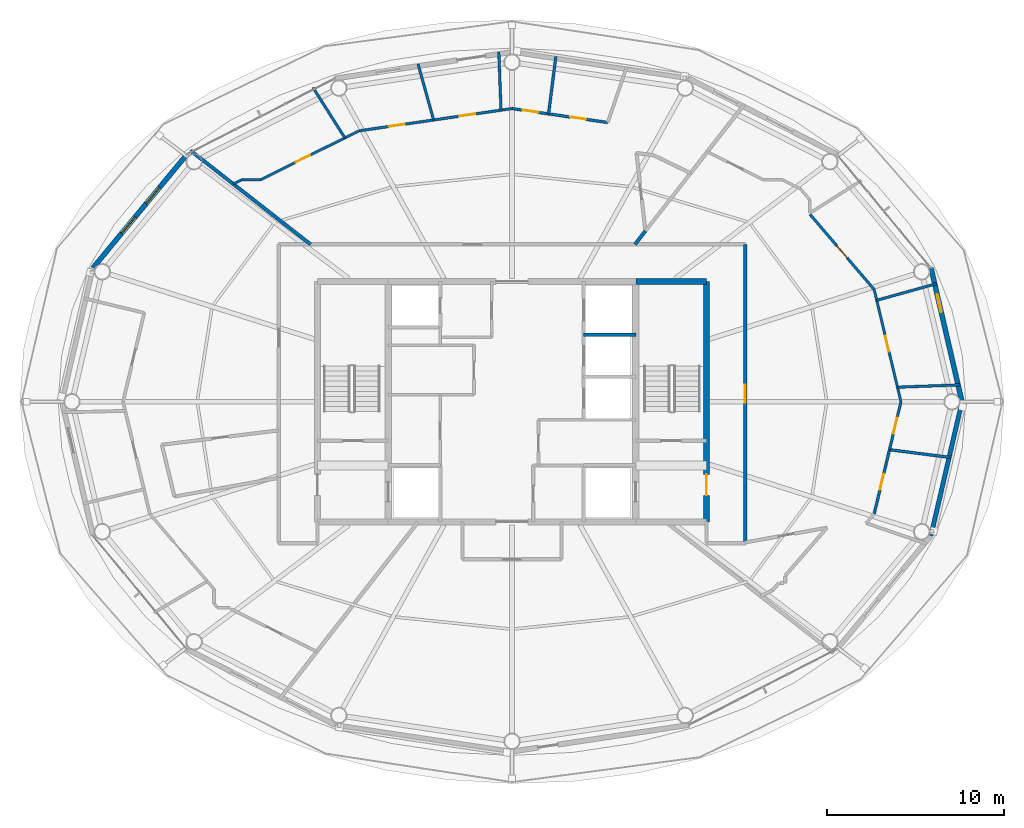
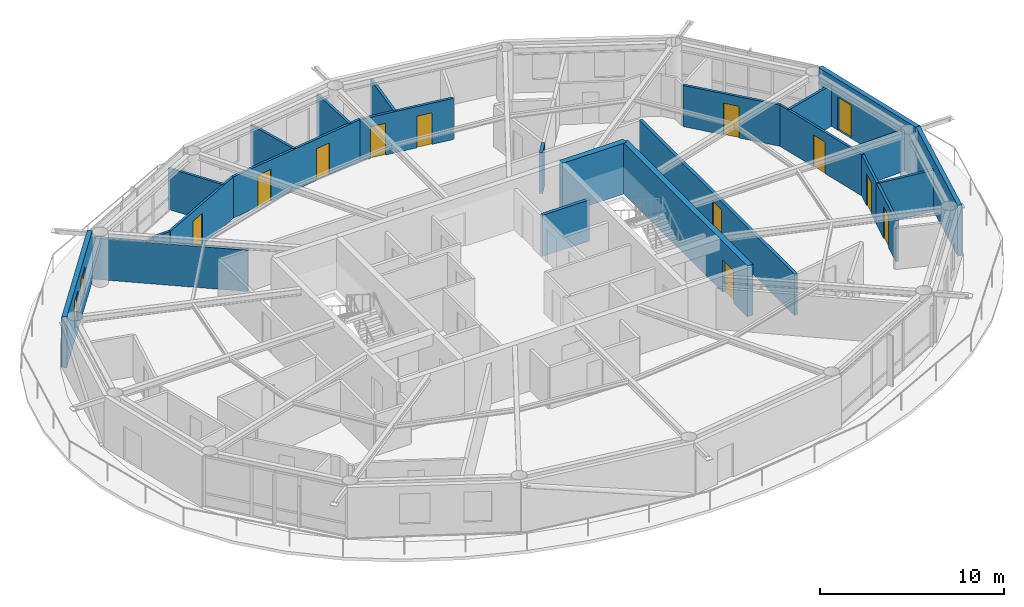
# One storey, part 18 of 22: 25 walls, 12 doors, 2 windows, 14 openings.
"""IFC4 building model written with IfcOpenShell, lengths in metres."""

from ifc_helpers import new_model, si_unit, direction, frame, frame_2d, origin, place, context, subcontext, project, spatial, rectangle, extrude, material, layer, layer_set, type_object, element, fill, save


model = new_model("IFC4")

# Units and contexts
model_context = context("Model", 3, precision=1e-05, world=origin(), true_north=direction((0.0, 1.0)))
body_context = subcontext(model_context, "Body", "Model", "MODEL_VIEW")
ifc_project = project(units=[si_unit("LENGTHUNIT", "METRE"), si_unit("AREAUNIT", "SQUARE_METRE"), si_unit("VOLUMEUNIT", "CUBIC_METRE"), si_unit("PLANEANGLEUNIT", "RADIAN"), si_unit("MASSUNIT", "GRAM", prefix="KILO")], contexts=[model_context])

# Site, building, storey
site_placement = place(None, origin())
site = spatial("IfcSite", under=ifc_project, at=site_placement, CompositionType="ELEMENT")
building_placement = place(site_placement, origin())
building = spatial("IfcBuilding", under=site, at=building_placement, Name="Sarneth Arch Tower", CompositionType="ELEMENT")
storey_placement = place(building_placement, frame((0.0, 0.0, 305.39990234375)))
storey = spatial("IfcBuildingStorey", under=building, at=storey_placement, Name="L79", CompositionType="ELEMENT", Elevation=305.39990234375)

# Wall
ifc_material_1 = material(Name="Concrete C50/60", Category="concrete")
ifc_layer_1 = layer(ifc_material_1, 0.35009765625)
ifc_layer_set_1 = layer_set([ifc_layer_1], Name="Concrete C50/60")
wall_type_1 = type_object("IfcWallType", Name="WALL-CORE-350", PredefinedType="SHEAR", material=ifc_layer_set_1)
wall_1_placement = place(storey_placement, frame((55.0, 48.800048828125, 0.0), z_axis=(0.0, 0.0, 1.0), x_axis=(1.0, 0.0, 0.0)))
element("IfcWall", 1, at=wall_1_placement, inside=storey, type_object=wall_type_1, Name="L79 Core shear wall N-E", PredefinedType="SHEAR", context=body_context, shape_type="SweptSolid", body=[
    extrude(rectangle(XDim=4.0, YDim=0.35009765625, at=frame_2d((2.0, 0.0))), origin(), (0.0, 0.0, 1.0), 3.3701171875),
])

# Wall, opening, door
wall_2_placement = place(storey_placement, frame((59.0, 35.199951171875, 0.0), z_axis=(0.0, 0.0, 1.0), x_axis=(0.0, 1.0, 0.0)))
wall_2 = element("IfcWall", 2, at=wall_2_placement, inside=storey, type_object=wall_type_1, Name="L79 Core shear wall E", PredefinedType="SHEAR", context=body_context, shape_type="SweptSolid", body=[
    extrude(rectangle(XDim=13.60009765625, YDim=0.35009765625, at=frame_2d((6.800048828125, 0.0))), origin(), (0.0, 0.0, 1.0), 3.3701171875),
])
opening_1_placement = place(wall_2_placement, frame((1.5, 0.0, 0.0)))
opening_1 = element("IfcOpeningElement", 3, at=opening_1_placement, cuts=wall_2, Name="Opening FD-02", PredefinedType="OPENING", context=body_context, shape_type="SweptSolid", body=[
    extrude(rectangle(XDim=1.199951171875, YDim=2.14990234375, at=frame_2d((0.60009765625, 1.074951171875))), frame((0.0, 0.18505859375, 0.0), z_axis=(0.0, -1.0, 0.0), x_axis=(1.0, 0.0, 0.0)), (0.0, 0.0, 1.0), 0.3701171875),
])
ifc_material_2 = material(Name="Galvanised Steel S275 fire door set", Category="steel")
door_type_1 = type_object("IfcDoorType", Name="DR-FD90-1200", OperationType="SINGLE_SWING_LEFT", PredefinedType="DOOR", material=ifc_material_2)
door_1_placement = place(opening_1_placement, origin())
door_1 = element("IfcDoor", 4, at=door_1_placement, inside=storey, type_object=door_type_1, Name="L79 Firefighting lobby 2 exit door", OperationType="SINGLE_SWING_RIGHT", OverallHeight=2.14990234375, OverallWidth=1.199951171875, PredefinedType="DOOR", context=body_context, shape_type="SweptSolid", body=[
    extrude(rectangle(XDim=1.199951171875, YDim=2.14990234375, at=frame_2d((0.60009765625, 1.074951171875))), frame((0.0, 0.02490234375, 0.0), z_axis=(0.0, -1.0, 0.0), x_axis=(1.0, 0.0, 0.0)), (0.0, 0.0, 1.0), 0.050048828125),
])
fill(opening_1, door_1)

ifc_material_3 = material(Name="Double steel-stud corridor fire wall", Category="steel")
ifc_layer_2 = layer(ifc_material_3, 0.18994140625)
ifc_layer_set_2 = layer_set([ifc_layer_2], Name="Double steel-stud corridor fire wall")
wall_type_2 = type_object("IfcWallType", Name="WALL-CORR-190", PredefinedType="PARTITIONING", material=ifc_layer_set_2)
wall_3_placement = place(storey_placement, frame((61.199951171875, 50.89990234375, 0.0), z_axis=(0.0, 0.0, 1.0), x_axis=(0.0, -1.0, 0.0)))
wall_3 = element("IfcWall", 5, at=wall_3_placement, inside=storey, type_object=wall_type_2, Name="L79 Interior partition W-L79-TP-009", PredefinedType="PARTITIONING", context=body_context, shape_type="SweptSolid", body=[
    extrude(rectangle(XDim=16.884765625, YDim=0.18994140625, at=frame_2d((8.4423828125, 0.0))), origin(), (0.0, 0.0, 1.0), 2.72998046875),
])
opening_2_placement = place(wall_3_placement, frame((7.9423828125, 0.0, 0.0)))
opening_2 = element("IfcOpeningElement", 6, at=opening_2_placement, cuts=wall_3, Name="Opening FD-08", PredefinedType="OPENING", context=body_context, shape_type="SweptSolid", body=[
    extrude(rectangle(XDim=1.0, YDim=2.199951171875, at=frame_2d((0.5, 1.10009765625))), frame((0.0, 0.10498046875, 0.0), z_axis=(0.0, -1.0, 0.0), x_axis=(1.0, 0.0, 0.0)), (0.0, 0.0, 1.0), 0.2099609375),
])
ifc_material_4 = material(Name="Hardwood timber acoustic fire door", Category="wood")
door_type_2 = type_object("IfcDoorType", Name="DR-FD60-1000", OperationType="SINGLE_SWING_LEFT", PredefinedType="DOOR", material=ifc_material_4)
door_2_placement = place(opening_2_placement, origin())
door_2 = element("IfcDoor", 7, at=door_2_placement, inside=storey, type_object=door_type_2, Name="L79 Interior door DR-L79-U4-ENT", OperationType="SINGLE_SWING_RIGHT", OverallHeight=2.199951171875, OverallWidth=1.0, PredefinedType="DOOR", context=body_context, shape_type="SweptSolid", body=[
    extrude(rectangle(XDim=1.0, YDim=2.199951171875, at=frame_2d((0.5, 1.10009765625))), frame((0.0, 0.02490234375, 0.0), z_axis=(0.0, -1.0, 0.0), x_axis=(1.0, 0.0, 0.0)), (0.0, 0.0, 1.0), 0.050048828125),
])
fill(opening_2, door_2)

# Wall
ifc_material_5 = material(Name="Extruded terracotta rainscreen on Concrete C40/50 backing", Category="masonry")
ifc_layer_3 = layer(ifc_material_5, 0.25)
ifc_layer_set_3 = layer_set([ifc_layer_3], Name="Extruded terracotta rainscreen on Concrete C40/50 backing")
wall_type_3 = type_object("IfcWallType", Name="WALL-EXT-SPAND-250", PredefinedType="SOLIDWALL", material=ifc_layer_set_3)
wall_4_placement = place(storey_placement, frame((71.69384765625, 34.430419921875, 0.0), z_axis=(0.0, 0.0, 1.0), x_axis=(0.225635078214, 0.974211892495, 0.0)))
element("IfcWall", 8, at=wall_4_placement, inside=storey, type_object=wall_type_3, Name="L79 Terracotta perimeter wall 16", PredefinedType="SOLIDWALL", context=body_context, shape_type="SweptSolid", body=[
    extrude(rectangle(XDim=7.77001953125, YDim=0.25, at=frame_2d((3.885009765625, 0.0))), origin(), (0.0, 0.0, 1.0), 3.3701171875),
])

# Wall, opening, door
ifc_material_6 = material(Name="Extruded terracotta rainscreen on Concrete C40/50 backing", Category="masonry")
ifc_layer_4 = layer(ifc_material_6, 0.280029296875)
ifc_layer_set_4 = layer_set([ifc_layer_4], Name="Extruded terracotta rainscreen on Concrete C40/50 backing")
wall_type_4 = type_object("IfcWallType", Name="WALL-EXT-TERRA-280", PredefinedType="SOLIDWALL", material=ifc_layer_set_4)
wall_5_placement = place(storey_placement, frame((73.447021484375, 42.0, 0.0), z_axis=(0.0, 0.0, 1.0), x_axis=(-0.225635078214, 0.974211892495, 0.0)))
wall_5 = element("IfcWall", 9, at=wall_5_placement, inside=storey, type_object=wall_type_4, Name="L79 Terracotta perimeter wall 01", PredefinedType="SOLIDWALL", context=body_context, shape_type="SweptSolid", body=[
    extrude(rectangle(XDim=7.77001953125, YDim=0.280029296875, at=frame_2d((3.885009765625, 0.0))), origin(), (0.0, 0.0, 1.0), 3.3701171875),
])
opening_3_placement = place(wall_5_placement, frame((5.192138671875, 0.0, 0.0)))
opening_3 = element("IfcOpeningElement", 10, at=opening_3_placement, cuts=wall_5, Name="Opening BD-4", PredefinedType="OPENING", context=body_context, shape_type="SweptSolid", body=[
    extrude(rectangle(XDim=1.050048828125, YDim=2.199951171875, at=frame_2d((0.52490234375, 1.10009765625))), frame((0.0, 0.14990234375, 0.0), z_axis=(0.0, -1.0, 0.0), x_axis=(1.0, 0.0, 0.0)), (0.0, 0.0, 1.0), 0.300048828125),
])
ifc_material_7 = material(Name="Thermally broken Aluminium 6063-T6 and laminated safety glass", Category="aluminium")
door_type_3 = type_object("IfcDoorType", Name="DR-BALC-GLZ-1050", OperationType="SINGLE_SWING_RIGHT", PredefinedType="DOOR", material=ifc_material_7)
door_3_placement = place(opening_3_placement, origin())
door_3 = element("IfcDoor", 11, at=door_3_placement, inside=storey, type_object=door_type_3, Name="L79 Balcony glazed door 01", OperationType="SINGLE_SWING_RIGHT", OverallHeight=2.199951171875, OverallWidth=1.050048828125, PredefinedType="DOOR", context=body_context, shape_type="SweptSolid", body=[
    extrude(rectangle(XDim=1.050048828125, YDim=2.199951171875, at=frame_2d((0.52490234375, 1.10009765625))), frame((0.0, 0.02490234375, 0.0), z_axis=(0.0, -1.0, 0.0), x_axis=(1.0, 0.0, 0.0)), (0.0, 0.0, 1.0), 0.050048828125),
])
fill(opening_3, door_3)

# Wall, openings, windows
wall_6_placement = place(storey_placement, frame((29.617431640625, 55.986572265625, 0.0), z_axis=(0.0, 0.0, 1.0), x_axis=(-0.63761509934, -0.770355103243, 0.0)))
wall_6 = element("IfcWall", 12, at=wall_6_placement, inside=storey, type_object=wall_type_4, Name="L79 Terracotta perimeter wall 07", PredefinedType="SOLIDWALL", context=body_context, shape_type="SweptSolid", body=[
    extrude(rectangle(XDim=8.329833984375, YDim=0.280029296875, at=frame_2d((4.1650390625, 0.0))), origin(), (0.0, 0.0, 1.0), 3.3701171875),
])
opening_4_placement = place(wall_6_placement, frame((2.42626953125, 0.0, 0.85009765625)))
opening_4 = element("IfcOpeningElement", 13, at=opening_4_placement, cuts=wall_6, Name="Opening W-09", PredefinedType="OPENING", context=body_context, shape_type="SweptSolid", body=[
    extrude(rectangle(XDim=1.199951171875, YDim=1.800048828125, at=frame_2d((0.60009765625, 0.89990234375))), frame((0.0, 0.14990234375, 0.0), z_axis=(0.0, -1.0, 0.0), x_axis=(1.0, 0.0, 0.0)), (0.0, 0.0, 1.0), 0.300048828125),
])
opening_5_placement = place(wall_6_placement, frame((4.59619140625, 0.0, 0.85009765625)))
opening_5 = element("IfcOpeningElement", 14, at=opening_5_placement, cuts=wall_6, Name="Opening W-09", PredefinedType="OPENING", context=body_context, shape_type="SweptSolid", body=[
    extrude(rectangle(XDim=1.199951171875, YDim=1.800048828125, at=frame_2d((0.60009765625, 0.89990234375))), frame((0.0, 0.14990234375, 0.0), z_axis=(0.0, -1.0, 0.0), x_axis=(1.0, 0.0, 0.0)), (0.0, 0.0, 1.0), 0.300048828125),
])
ifc_material_8 = material(Name="Thermally broken Aluminium 6063-T6 and low-e laminated IGU", Category="aluminium")
window_type = type_object("IfcWindowType", Name="WIN-TWR-1200x1800", PartitioningType="SINGLE_PANEL", PredefinedType="WINDOW", material=ifc_material_8)
window_1_placement = place(opening_4_placement, origin())
window_1 = element("IfcWindow", 15, at=window_1_placement, inside=storey, type_object=window_type, Name="L79 Exterior window 07A", OverallHeight=1.800048828125, OverallWidth=1.199951171875, PartitioningType="SINGLE_PANEL", PredefinedType="WINDOW", context=body_context, shape_type="SweptSolid", body=[
    extrude(rectangle(XDim=1.199951171875, YDim=1.800048828125, at=frame_2d((0.60009765625, 0.89990234375))), frame((0.0, 0.030029296875, 0.0), z_axis=(0.0, -1.0, 0.0), x_axis=(1.0, 0.0, 0.0)), (0.0, 0.0, 1.0), 0.06005859375),
])
fill(opening_4, window_1)
window_2_placement = place(opening_5_placement, origin())
window_2 = element("IfcWindow", 16, at=window_2_placement, inside=storey, type_object=window_type, Name="L79 Exterior window 07B", OverallHeight=1.800048828125, OverallWidth=1.199951171875, PartitioningType="SINGLE_PANEL", PredefinedType="WINDOW", context=body_context, shape_type="SweptSolid", body=[
    extrude(rectangle(XDim=1.199951171875, YDim=1.800048828125, at=frame_2d((0.60009765625, 0.89990234375))), frame((0.0, 0.030029296875, 0.0), z_axis=(0.0, -1.0, 0.0), x_axis=(1.0, 0.0, 0.0)), (0.0, 0.0, 1.0), 0.06005859375),
])
fill(opening_5, window_2)

# Wall, opening, door
ifc_material_9 = material(Name="Apartment internal stud partition", Category="gypsum")
ifc_layer_5 = layer(ifc_material_9, 0.139892578125)
ifc_layer_set_5 = layer_set([ifc_layer_5], Name="Apartment internal stud partition")
wall_type_5 = type_object("IfcWallType", Name="WALL-PART-140", PredefinedType="PARTITIONING", material=ifc_layer_set_5)
wall_7_placement = place(storey_placement, frame((33.773193359375, 54.550048828125, 0.0), z_axis=(0.0, 0.0, 1.0), x_axis=(0.895593510097, 0.44487331306, 0.0)))
wall_7 = element("IfcWall", 17, at=wall_7_placement, inside=storey, type_object=wall_type_5, Name="L79 Interior partition W-L79-TP-027", PredefinedType="PARTITIONING", context=body_context, shape_type="SweptSolid", body=[
    extrude(rectangle(XDim=6.2216796875, YDim=0.139892578125, at=frame_2d((3.11083984375, 0.0))), origin(), (0.0, 0.0, 1.0), 2.72998046875),
])
opening_6_placement = place(wall_7_placement, frame((2.232421875, 0.0, 0.0)))
opening_6 = element("IfcOpeningElement", 18, at=opening_6_placement, cuts=wall_7, Name="Opening ID-01", PredefinedType="OPENING", context=body_context, shape_type="SweptSolid", body=[
    extrude(rectangle(XDim=0.89990234375, YDim=2.10009765625, at=frame_2d((0.449951171875, 1.050048828125))), frame((0.0, 0.079833984375, 0.0), z_axis=(0.0, -1.0, 0.0), x_axis=(1.0, 0.0, 0.0)), (0.0, 0.0, 1.0), 0.159912109375),
])
ifc_material_10 = material(Name="Engineered hardwood flush door", Category="wood")
door_type_4 = type_object("IfcDoorType", Name="DR-INT-900", OperationType="SINGLE_SWING_LEFT", PredefinedType="DOOR", material=ifc_material_10)
door_4_placement = place(opening_6_placement, origin())
door_4 = element("IfcDoor", 19, at=door_4_placement, inside=storey, type_object=door_type_4, Name="L79 Interior door DR-L79-U1-BED3", OperationType="SINGLE_SWING_LEFT", OverallHeight=2.10009765625, OverallWidth=0.89990234375, PredefinedType="DOOR", context=body_context, shape_type="SweptSolid", body=[
    extrude(rectangle(XDim=0.89990234375, YDim=2.10009765625, at=frame_2d((0.449951171875, 1.050048828125))), frame((0.0, 0.02490234375, 0.0), z_axis=(0.0, -1.0, 0.0), x_axis=(1.0, 0.0, 0.0)), (0.0, 0.0, 1.0), 0.050048828125),
])
fill(opening_6, door_4)

wall_8_placement = place(storey_placement, frame((68.48095703125, 48.344970703125, 0.0), z_axis=(0.0, 0.0, 1.0), x_axis=(0.232298462197, -0.972644551962, 0.0)))
wall_8 = element("IfcWall", 20, at=wall_8_placement, inside=storey, type_object=wall_type_5, Name="L79 Interior partition W-L79-TP-070", PredefinedType="PARTITIONING", context=body_context, shape_type="SweptSolid", body=[
    extrude(rectangle(XDim=6.5234375, YDim=0.139892578125, at=frame_2d((3.26171875, 0.0))), origin(), (0.0, 0.0, 1.0), 2.72998046875),
])
opening_7_placement = place(wall_8_placement, frame((2.701904296875, 0.0, 0.0)))
opening_7 = element("IfcOpeningElement", 21, at=opening_7_placement, cuts=wall_8, Name="Opening ID-01", PredefinedType="OPENING", context=body_context, shape_type="SweptSolid", body=[
    extrude(rectangle(XDim=0.89990234375, YDim=2.10009765625, at=frame_2d((0.449951171875, 1.050048828125))), frame((0.0, 0.079833984375, 0.0), z_axis=(0.0, -1.0, 0.0), x_axis=(1.0, 0.0, 0.0)), (0.0, 0.0, 1.0), 0.159912109375),
])
door_5_placement = place(opening_7_placement, origin())
door_5 = element("IfcDoor", 22, at=door_5_placement, inside=storey, type_object=door_type_4, Name="L79 Interior door DR-L79-U4-BED1", OperationType="SINGLE_SWING_RIGHT", OverallHeight=2.10009765625, OverallWidth=0.89990234375, PredefinedType="DOOR", context=body_context, shape_type="SweptSolid", body=[
    extrude(rectangle(XDim=0.89990234375, YDim=2.10009765625, at=frame_2d((0.449951171875, 1.050048828125))), frame((0.0, 0.02490234375, 0.0), z_axis=(0.0, -1.0, 0.0), x_axis=(1.0, 0.0, 0.0)), (0.0, 0.0, 1.0), 0.050048828125),
])
fill(opening_7, door_5)

# Walls
wall_9_placement = place(storey_placement, frame((32.710693359375, 54.550048828125, 0.0), z_axis=(0.0, 0.0, 1.0), x_axis=(1.0, 0.0, 0.0)))
element("IfcWall", 23, at=wall_9_placement, inside=storey, type_object=wall_type_5, Name="L79 Interior partition W-L79-TP-026", PredefinedType="PARTITIONING", context=body_context, shape_type="SweptSolid", body=[
    extrude(rectangle(XDim=1.0625, YDim=0.139892578125, at=frame_2d((0.53125, 0.0))), origin(), (0.0, 0.0, 1.0), 2.72998046875),
])
wall_10_placement = place(storey_placement, frame((32.23779296875, 54.314697265625, 0.0), z_axis=(0.0, 0.0, 1.0), x_axis=(0.895257581236, 0.445548945953, 0.0)))
element("IfcWall", 24, at=wall_10_placement, inside=storey, type_object=wall_type_5, Name="L79 Interior partition W-L79-TP-025", PredefinedType="PARTITIONING", context=body_context, shape_type="SweptSolid", body=[
    extrude(rectangle(XDim=0.5283203125, YDim=0.139892578125, at=frame_2d((0.26416015625, 0.0))), origin(), (0.0, 0.0, 1.0), 2.72998046875),
])

# Wall, opening, door
ifc_material_11 = material(Name="Acoustic gypsum stud partition", Category="gypsum")
ifc_layer_6 = layer(ifc_material_11, 0.14990234375)
ifc_layer_set_6 = layer_set([ifc_layer_6], Name="Acoustic gypsum stud partition")
wall_type_6 = type_object("IfcWallType", Name="WALL-PART-150", PredefinedType="PARTITIONING", material=ifc_layer_set_6)
wall_11_placement = place(storey_placement, frame((68.48095703125, 48.344970703125, 0.0), z_axis=(0.0, 0.0, 1.0), x_axis=(-0.649208179997, 0.760610767097, 0.0)))
wall_11 = element("IfcWall", 25, at=wall_11_placement, inside=storey, type_object=wall_type_6, Name="L79 Interior partition W-L79-TP-072", PredefinedType="PARTITIONING", context=body_context, shape_type="SweptSolid", body=[
    extrude(rectangle(XDim=5.5927734375, YDim=0.14990234375, at=frame_2d((2.79638671875, 0.0))), origin(), (0.0, 0.0, 1.0), 2.72998046875),
])
opening_8_placement = place(wall_11_placement, frame((2.346435546875, 0.0, 0.0)))
opening_8 = element("IfcOpeningElement", 26, at=opening_8_placement, cuts=wall_11, Name="Opening ID-01", PredefinedType="OPENING", context=body_context, shape_type="SweptSolid", body=[
    extrude(rectangle(XDim=0.89990234375, YDim=2.10009765625, at=frame_2d((0.449951171875, 1.050048828125))), frame((0.0, 0.0849609375, 0.0), z_axis=(0.0, -1.0, 0.0), x_axis=(1.0, 0.0, 0.0)), (0.0, 0.0, 1.0), 0.169921875),
])
door_6_placement = place(opening_8_placement, origin())
door_6 = element("IfcDoor", 27, at=door_6_placement, inside=storey, type_object=door_type_4, Name="L79 Interior door DR-L79-U4-BED2", OperationType="SINGLE_SWING_LEFT", OverallHeight=2.10009765625, OverallWidth=0.89990234375, PredefinedType="DOOR", context=body_context, shape_type="SweptSolid", body=[
    extrude(rectangle(XDim=0.89990234375, YDim=2.10009765625, at=frame_2d((0.449951171875, 1.050048828125))), frame((0.0, 0.02490234375, 0.0), z_axis=(0.0, -1.0, 0.0), x_axis=(1.0, 0.0, 0.0)), (0.0, 0.0, 1.0), 0.050048828125),
])
fill(opening_8, door_6)

# Wall, openings, doors
wall_12_placement = place(storey_placement, frame((39.34521484375, 57.31787109375, 0.0), z_axis=(0.0, 0.0, 1.0), x_axis=(0.989532150642, 0.144312587273, 0.0)))
wall_12 = element("IfcWall", 28, at=wall_12_placement, inside=storey, type_object=wall_type_6, Name="L79 Interior partition W-L79-TP-024", PredefinedType="PARTITIONING", context=body_context, shape_type="SweptSolid", body=[
    extrude(rectangle(XDim=8.746337890625, YDim=0.14990234375, at=frame_2d((4.373046875, 0.0))), origin(), (0.0, 0.0, 1.0), 2.72998046875),
])
opening_9_placement = place(wall_12_placement, frame((1.699951171875, 0.0, 0.0)))
opening_9 = element("IfcOpeningElement", 29, at=opening_9_placement, cuts=wall_12, Name="Opening ID-01", PredefinedType="OPENING", context=body_context, shape_type="SweptSolid", body=[
    extrude(rectangle(XDim=0.89990234375, YDim=2.10009765625, at=frame_2d((0.449951171875, 1.050048828125))), frame((0.0, 0.0849609375, 0.0), z_axis=(0.0, -1.0, 0.0), x_axis=(1.0, 0.0, 0.0)), (0.0, 0.0, 1.0), 0.169921875),
])
opening_10_placement = place(wall_12_placement, frame((5.742919921875, 0.0, 0.0)))
opening_10 = element("IfcOpeningElement", 30, at=opening_10_placement, cuts=wall_12, Name="Opening ID-01", PredefinedType="OPENING", context=body_context, shape_type="SweptSolid", body=[
    extrude(rectangle(XDim=0.89990234375, YDim=2.10009765625, at=frame_2d((0.449951171875, 1.050048828125))), frame((0.0, 0.0849609375, 0.0), z_axis=(0.0, -1.0, 0.0), x_axis=(1.0, 0.0, 0.0)), (0.0, 0.0, 1.0), 0.169921875),
])
door_7_placement = place(opening_9_placement, origin())
door_7 = element("IfcDoor", 31, at=door_7_placement, inside=storey, type_object=door_type_4, Name="L79 Interior door DR-L79-U1-BED2", OperationType="SINGLE_SWING_LEFT", OverallHeight=2.10009765625, OverallWidth=0.89990234375, PredefinedType="DOOR", context=body_context, shape_type="SweptSolid", body=[
    extrude(rectangle(XDim=0.89990234375, YDim=2.10009765625, at=frame_2d((0.449951171875, 1.050048828125))), frame((0.0, 0.02490234375, 0.0), z_axis=(0.0, -1.0, 0.0), x_axis=(1.0, 0.0, 0.0)), (0.0, 0.0, 1.0), 0.050048828125),
])
fill(opening_9, door_7)
door_8_placement = place(opening_10_placement, origin())
door_8 = element("IfcDoor", 32, at=door_8_placement, inside=storey, type_object=door_type_4, Name="L79 Interior door DR-L79-U1-BED1", OperationType="SINGLE_SWING_RIGHT", OverallHeight=2.10009765625, OverallWidth=0.89990234375, PredefinedType="DOOR", context=body_context, shape_type="SweptSolid", body=[
    extrude(rectangle(XDim=0.89990234375, YDim=2.10009765625, at=frame_2d((0.449951171875, 1.050048828125))), frame((0.0, 0.02490234375, 0.0), z_axis=(0.0, -1.0, 0.0), x_axis=(1.0, 0.0, 0.0)), (0.0, 0.0, 1.0), 0.050048828125),
])
fill(opening_10, door_8)

# Walls
wall_13_placement = place(storey_placement, frame((69.800048828125, 42.821533203125, 0.0), z_axis=(0.0, 0.0, 1.0), x_axis=(0.999291840202, 0.037627358477, 0.0)))
element("IfcWall", 33, at=wall_13_placement, inside=storey, type_object=wall_type_6, Name="L79 Interior partition W-L79-TP-079", PredefinedType="PARTITIONING", context=body_context, shape_type="SweptSolid", body=[
    extrude(rectangle(XDim=3.549072265625, YDim=0.14990234375, at=frame_2d((1.7744140625, 0.0))), origin(), (0.0, 0.0, 1.0), 2.72998046875),
])
wall_14_placement = place(storey_placement, frame((72.0224609375, 48.681884765625, 0.0), z_axis=(0.0, 0.0, 1.0), x_axis=(-0.963436508671, -0.267936734621, 0.0)))
element("IfcWall", 34, at=wall_14_placement, inside=storey, type_object=wall_type_6, Name="L79 Interior partition W-L79-TP-080", PredefinedType="PARTITIONING", context=body_context, shape_type="SweptSolid", body=[
    extrude(rectangle(XDim=3.525390625, YDim=0.14990234375, at=frame_2d((1.7626953125, 0.0))), origin(), (0.0, 0.0, 1.0), 2.72998046875),
])
wall_15_placement = place(storey_placement, frame((38.548828125, 56.92236328125, 0.0), z_axis=(0.0, 0.0, 1.0), x_axis=(-0.535019359821, 0.844839798197, 0.0)))
element("IfcWall", 35, at=wall_15_placement, inside=storey, type_object=wall_type_6, Name="L79 Interior partition W-L79-TP-036", PredefinedType="PARTITIONING", context=body_context, shape_type="SweptSolid", body=[
    extrude(rectangle(XDim=3.37255859375, YDim=0.14990234375, at=frame_2d((1.686279296875, 0.0))), origin(), (0.0, 0.0, 1.0), 2.72998046875),
])
wall_16_placement = place(storey_placement, frame((47.378662109375, 58.489501953125, 0.0), z_axis=(0.0, 0.0, 1.0), x_axis=(-0.037643519601, 0.99929123154, 0.0)))
element("IfcWall", 36, at=wall_16_placement, inside=storey, type_object=wall_type_6, Name="L79 Interior partition W-L79-TP-033", PredefinedType="PARTITIONING", context=body_context, shape_type="SweptSolid", body=[
    extrude(rectangle(XDim=3.30126953125, YDim=0.14990234375, at=frame_2d((1.650634765625, 0.0))), origin(), (0.0, 0.0, 1.0), 2.72998046875),
])
wall_17_placement = place(storey_placement, frame((43.56787109375, 57.93359375, 0.0), z_axis=(0.0, 0.0, 1.0), x_axis=(-0.267957857452, 0.963430634052, 0.0)))
element("IfcWall", 37, at=wall_17_placement, inside=storey, type_object=wall_type_6, Name="L79 Interior partition W-L79-TP-035", PredefinedType="PARTITIONING", context=body_context, shape_type="SweptSolid", body=[
    extrude(rectangle(XDim=3.288330078125, YDim=0.14990234375, at=frame_2d((1.64404296875, 0.0))), origin(), (0.0, 0.0, 1.0), 2.72998046875),
])

# Wall, opening, door
wall_18_placement = place(storey_placement, frame((69.348388671875, 39.28759765625, 0.0), z_axis=(0.0, 0.0, 1.0), x_axis=(0.232346378521, 0.972633106772, 0.0)))
wall_18 = element("IfcWall", 38, at=wall_18_placement, inside=storey, type_object=wall_type_6, Name="L79 Interior partition W-L79-TP-059", PredefinedType="PARTITIONING", context=body_context, shape_type="SweptSolid", body=[
    extrude(rectangle(XDim=2.788818359375, YDim=0.14990234375, at=frame_2d((1.39453125, 0.0))), origin(), (0.0, 0.0, 1.0), 2.72998046875),
])
opening_11_placement = place(wall_18_placement, frame((0.9443359375, 0.0, 0.0)))
opening_11 = element("IfcOpeningElement", 39, at=opening_11_placement, cuts=wall_18, Name="Opening ID-01", PredefinedType="OPENING", context=body_context, shape_type="SweptSolid", body=[
    extrude(rectangle(XDim=0.89990234375, YDim=2.10009765625, at=frame_2d((0.449951171875, 1.050048828125))), frame((0.0, 0.0849609375, 0.0), z_axis=(0.0, -1.0, 0.0), x_axis=(1.0, 0.0, 0.0)), (0.0, 0.0, 1.0), 0.169921875),
])
door_9_placement = place(opening_11_placement, origin())
door_9 = element("IfcDoor", 40, at=door_9_placement, inside=storey, type_object=door_type_4, Name="L79 Interior door DR-L79-U4-STD", OperationType="SINGLE_SWING_LEFT", OverallHeight=2.10009765625, OverallWidth=0.89990234375, PredefinedType="DOOR", context=body_context, shape_type="SweptSolid", body=[
    extrude(rectangle(XDim=0.89990234375, YDim=2.10009765625, at=frame_2d((0.449951171875, 1.050048828125))), frame((0.0, 0.02490234375, 0.0), z_axis=(0.0, -1.0, 0.0), x_axis=(1.0, 0.0, 0.0)), (0.0, 0.0, 1.0), 0.050048828125),
])
fill(opening_11, door_9)

ifc_material_12 = material(Name="Kitchen wet service chase wall", Category="gypsum")
ifc_layer_7 = layer(ifc_material_12, 0.159912109375)
ifc_layer_set_7 = layer_set([ifc_layer_7], Name="Kitchen wet service chase wall")
wall_type_7 = type_object("IfcWallType", Name="WALL-PLUMB-160", PredefinedType="PLUMBINGWALL", material=ifc_layer_set_7)
wall_19_placement = place(storey_placement, frame((68.48095703125, 35.655029296875, 0.0), z_axis=(0.0, 0.0, 1.0), x_axis=(0.232262682455, 0.972653096607, 0.0)))
wall_19 = element("IfcWall", 41, at=wall_19_placement, inside=storey, type_object=wall_type_7, Name="L79 Interior partition W-L79-TP-063", PredefinedType="PLUMBINGWALL", context=body_context, shape_type="SweptSolid", body=[
    extrude(rectangle(XDim=3.734619140625, YDim=0.159912109375, at=frame_2d((1.8671875, 0.0))), origin(), (0.0, 0.0, 1.0), 2.72998046875),
])
opening_12_placement = place(wall_19_placement, frame((1.41748046875, 0.0, 0.0)))
opening_12 = element("IfcOpeningElement", 42, at=opening_12_placement, cuts=wall_19, Name="Opening ID-01", PredefinedType="OPENING", context=body_context, shape_type="SweptSolid", body=[
    extrude(rectangle(XDim=0.89990234375, YDim=2.10009765625, at=frame_2d((0.449951171875, 1.050048828125))), frame((0.0, 0.08984375, 0.0), z_axis=(0.0, -1.0, 0.0), x_axis=(1.0, 0.0, 0.0)), (0.0, 0.0, 1.0), 0.179931640625),
])
door_10_placement = place(opening_12_placement, origin())
door_10 = element("IfcDoor", 43, at=door_10_placement, inside=storey, type_object=door_type_4, Name="L79 Interior door DR-L79-U4-KIT", OperationType="SINGLE_SWING_LEFT", OverallHeight=2.10009765625, OverallWidth=0.89990234375, PredefinedType="DOOR", context=body_context, shape_type="SweptSolid", body=[
    extrude(rectangle(XDim=0.89990234375, YDim=2.10009765625, at=frame_2d((0.449951171875, 1.050048828125))), frame((0.0, 0.02490234375, 0.0), z_axis=(0.0, -1.0, 0.0), x_axis=(1.0, 0.0, 0.0)), (0.0, 0.0, 1.0), 0.050048828125),
])
fill(opening_12, door_10)

# Wall
wall_20_placement = place(storey_placement, frame((72.838623046875, 38.84423828125, 0.0), z_axis=(0.0, 0.0, 1.0), x_axis=(-0.992028222336, 0.126015896178, 0.0)))
element("IfcWall", 44, at=wall_20_placement, inside=storey, type_object=wall_type_7, Name="L79 Interior partition W-L79-TP-078", PredefinedType="PLUMBINGWALL", context=body_context, shape_type="SweptSolid", body=[
    extrude(rectangle(XDim=3.518310546875, YDim=0.159912109375, at=frame_2d((1.75927734375, 0.0))), origin(), (0.0, 0.0, 1.0), 2.72998046875),
])

# Wall, openings, doors
wall_21_placement = place(storey_placement, frame((53.411865234375, 57.790771484375, 0.0), z_axis=(0.0, 0.0, 1.0), x_axis=(-0.989530988967, 0.144320552503, 0.0)))
wall_21 = element("IfcWall", 45, at=wall_21_placement, inside=storey, type_object=wall_type_7, Name="L79 Interior partition W-L79-TP-018", PredefinedType="PLUMBINGWALL", context=body_context, shape_type="SweptSolid", body=[
    extrude(rectangle(XDim=5.46923828125, YDim=0.159912109375, at=frame_2d((2.734619140625, 0.0))), origin(), (0.0, 0.0, 1.0), 2.72998046875),
])
opening_13_placement = place(wall_21_placement, frame((1.239501953125, 0.0, 0.0)))
opening_13 = element("IfcOpeningElement", 46, at=opening_13_placement, cuts=wall_21, Name="Opening ID-01", PredefinedType="OPENING", context=body_context, shape_type="SweptSolid", body=[
    extrude(rectangle(XDim=0.89990234375, YDim=2.10009765625, at=frame_2d((0.449951171875, 1.050048828125))), frame((0.0, 0.08984375, 0.0), z_axis=(0.0, -1.0, 0.0), x_axis=(1.0, 0.0, 0.0)), (0.0, 0.0, 1.0), 0.179931640625),
])
opening_14_placement = place(wall_21_placement, frame((3.9580078125, 0.0, 0.0)))
opening_14 = element("IfcOpeningElement", 47, at=opening_14_placement, cuts=wall_21, Name="Opening ID-01", PredefinedType="OPENING", context=body_context, shape_type="SweptSolid", body=[
    extrude(rectangle(XDim=0.89990234375, YDim=2.10009765625, at=frame_2d((0.449951171875, 1.050048828125))), frame((0.0, 0.08984375, 0.0), z_axis=(0.0, -1.0, 0.0), x_axis=(1.0, 0.0, 0.0)), (0.0, 0.0, 1.0), 0.179931640625),
])
door_11_placement = place(opening_13_placement, origin())
door_11 = element("IfcDoor", 48, at=door_11_placement, inside=storey, type_object=door_type_4, Name="L79 Interior door DR-L79-U1-KIT", OperationType="SINGLE_SWING_LEFT", OverallHeight=2.10009765625, OverallWidth=0.89990234375, PredefinedType="DOOR", context=body_context, shape_type="SweptSolid", body=[
    extrude(rectangle(XDim=0.89990234375, YDim=2.10009765625, at=frame_2d((0.449951171875, 1.050048828125))), frame((0.0, 0.02490234375, 0.0), z_axis=(0.0, -1.0, 0.0), x_axis=(1.0, 0.0, 0.0)), (0.0, 0.0, 1.0), 0.050048828125),
])
fill(opening_13, door_11)
door_12_placement = place(opening_14_placement, origin())
door_12 = element("IfcDoor", 49, at=door_12_placement, inside=storey, type_object=door_type_4, Name="L79 Interior door DR-L79-U1-STD", OperationType="SINGLE_SWING_LEFT", OverallHeight=2.10009765625, OverallWidth=0.89990234375, PredefinedType="DOOR", context=body_context, shape_type="SweptSolid", body=[
    extrude(rectangle(XDim=0.89990234375, YDim=2.10009765625, at=frame_2d((0.449951171875, 1.050048828125))), frame((0.0, 0.02490234375, 0.0), z_axis=(0.0, -1.0, 0.0), x_axis=(1.0, 0.0, 0.0)), (0.0, 0.0, 1.0), 0.050048828125),
])
fill(opening_14, door_12)

# Walls
wall_22_placement = place(storey_placement, frame((50.48095703125, 61.5283203125, 0.0), z_axis=(0.0, 0.0, 1.0), x_axis=(-0.1260156089, -0.992028258828, 0.0)))
element("IfcWall", 50, at=wall_22_placement, inside=storey, type_object=wall_type_7, Name="L79 Interior partition W-L79-TP-032", PredefinedType="PLUMBINGWALL", context=body_context, shape_type="SweptSolid", body=[
    extrude(rectangle(XDim=3.276123046875, YDim=0.159912109375, at=frame_2d((1.63818359375, 0.0))), origin(), (0.0, 0.0, 1.0), 2.72998046875),
])
ifc_material_13 = material(Name="Aerated concrete blockwork C25/30", Category="masonry")
ifc_layer_8 = layer(ifc_material_13, 0.199951171875)
ifc_layer_set_8 = layer_set([ifc_layer_8], Name="Aerated concrete blockwork C25/30")
wall_type_8 = type_object("IfcWallType", Name="WALL-SHAFT-200", PredefinedType="SOLIDWALL", material=ifc_layer_set_8)
wall_23_placement = place(storey_placement, frame((52.050048828125, 45.800048828125, 0.0), z_axis=(0.0, 0.0, 1.0), x_axis=(1.0, 0.0, 0.0)))
element("IfcWall", 51, at=wall_23_placement, inside=storey, type_object=wall_type_8, Name="L79 Interior partition W-L79-EB-DIV-4580", PredefinedType="SOLIDWALL", context=body_context, shape_type="SweptSolid", body=[
    extrude(rectangle(XDim=2.949951171875, YDim=0.199951171875, at=frame_2d((1.47509765625, 0.0))), origin(), (0.0, 0.0, 1.0), 2.72998046875),
])
ifc_material_14 = material(Name="Double steel-stud acoustic drywall", Category="steel")
ifc_layer_9 = layer(ifc_material_14, 0.199951171875)
ifc_layer_set_9 = layer_set([ifc_layer_9], Name="Double steel-stud acoustic drywall")
wall_type_9 = type_object("IfcWallType", Name="WALL-UNIT-200", PredefinedType="PARTITIONING", material=ifc_layer_set_9)
wall_24_placement = place(storey_placement, frame((36.6083984375, 50.89990234375, 0.0), z_axis=(0.0, 0.0, 1.0), x_axis=(-0.78801493083, 0.615656128686, 0.0)))
element("IfcWall", 52, at=wall_24_placement, inside=storey, type_object=wall_type_9, Name="L79 Interior partition W-L79-TP-028", PredefinedType="PARTITIONING", context=body_context, shape_type="SweptSolid", body=[
    extrude(rectangle(XDim=8.62353515625, YDim=0.199951171875, at=frame_2d((4.311767578125, 0.0))), origin(), (0.0, 0.0, 1.0), 2.72998046875),
])
wall_25_placement = place(storey_placement, frame((55.54443359375, 51.65625, 0.0), z_axis=(0.0, 0.0, 1.0), x_axis=(-0.615752619539, -0.787939535453, 0.0)))
element("IfcWall", 53, at=wall_25_placement, inside=storey, type_object=wall_type_9, Name="L79 Interior partition W-L79-TP-029", PredefinedType="PARTITIONING", context=body_context, shape_type="SweptSolid", body=[
    extrude(rectangle(XDim=0.9599609375, YDim=0.199951171875, at=frame_2d((0.47998046875, 0.0))), origin(), (0.0, 0.0, 1.0), 2.72998046875),
])

save(model, "model.ifc")
